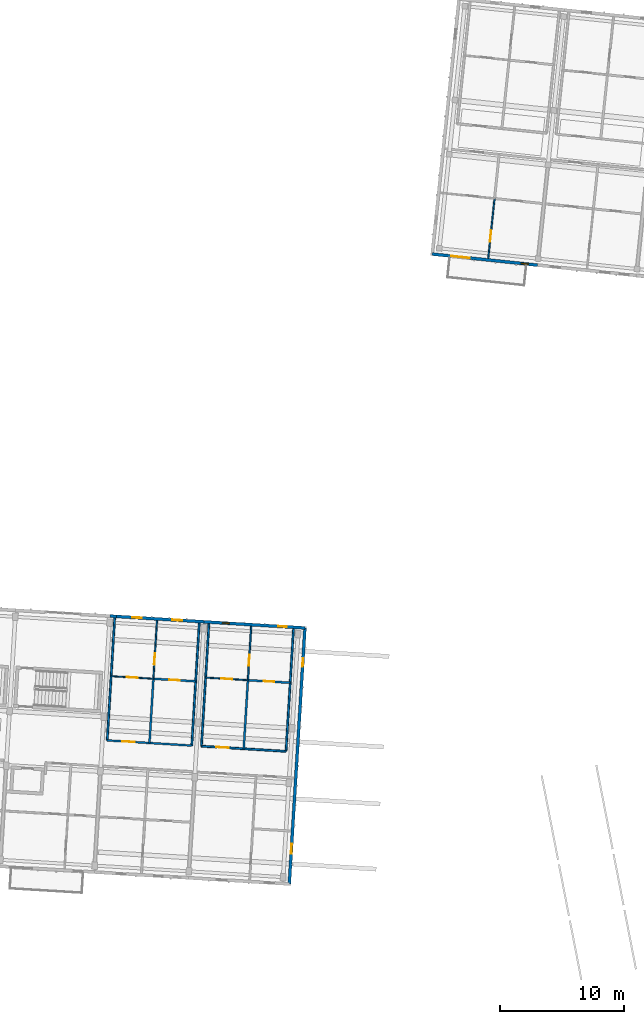
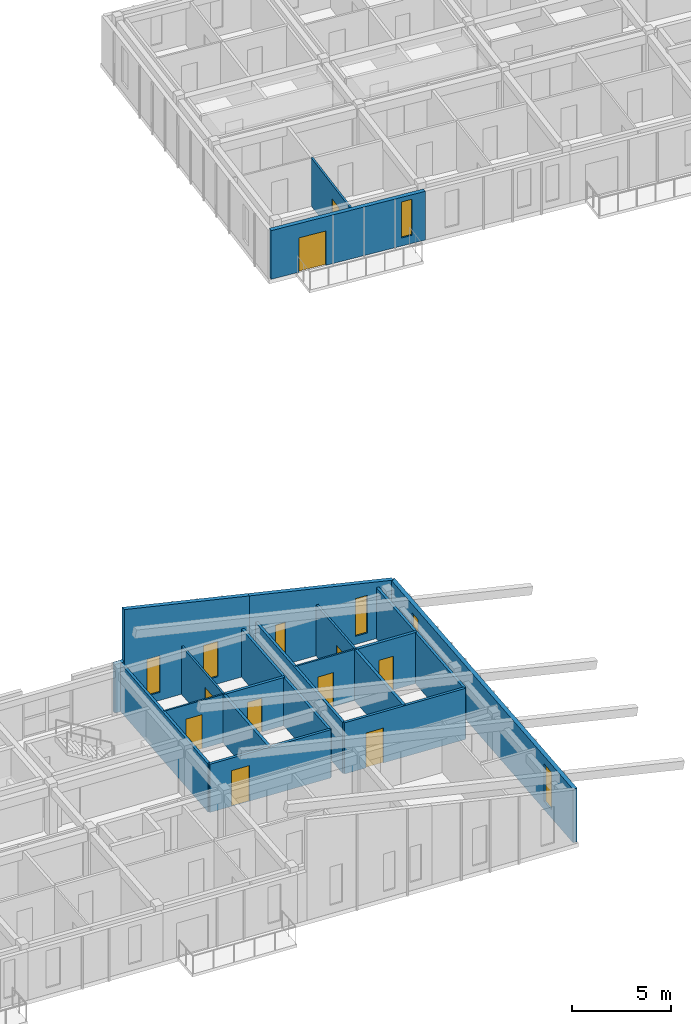
# One storey, part 26 of 56: 20 walls, 10 doors, 7 windows, 17 openings.
"""IFC4 building model written with IfcOpenShell, lengths in metres."""

import ifcopenshell
import ifcopenshell.guid

model = None  # the IFC model being written
_history = None  # IfcOwnerHistory: only IFC2X3 demands one
_inside = {}  # id of a spatial element -> (the spatial element, [elements in it])
_under = {}  # id of a project, library or spatial element -> (it, [spatial elements below it])
_declared = {}  # id of a project -> (the project, [libraries it declares])
_typed = {}  # id of a type object -> (the type object, [elements of that type])
_made_of = {}  # id of a material, layer set ... -> (it, [elements and type objects made of it])


def new_model(schema):
    """Start an empty IFC model of exactly this schema.

    Asked for "IFC4X3", IfcOpenShell would pick the latest addendum, in which some entities
    have other attributes; the version numbers below select the first issue.
    IFC2X3 requires an IfcOwnerHistory on every rooted entity: one is made here for all.
    """
    global model, _history
    if schema == "IFC4X3":
        model = ifcopenshell.file(schema_version=(4, 3, 0, 0))
    else:
        model = ifcopenshell.file(schema=schema)
    _inside.clear()
    _under.clear()
    _declared.clear()
    _typed.clear()
    _made_of.clear()
    _history = None
    if model.schema == "IFC2X3":
        org = make("IfcOrganization", Name="unknown")
        user = make(
            "IfcPersonAndOrganization",
            ThePerson=make("IfcPerson", FamilyName="unknown"),
            TheOrganization=org,
        )
        app = make(
            "IfcApplication",
            ApplicationDeveloper=org,
            Version="unknown",
            ApplicationFullName="unknown",
            ApplicationIdentifier="unknown",
        )
        _history = make(
            "IfcOwnerHistory",
            OwningUser=user,
            OwningApplication=app,
            ChangeAction="ADDED",
            CreationDate=0,
        )
    return model


def make(cls, **values):
    """One entity of the class cls with the attributes given. An attribute that is None is left unset."""
    return model.create_entity(
        cls, **{name: value for name, value in values.items() if value is not None}
    )


def rooted(cls, **values):
    """An entity with a GlobalId (a new one), such as an element, a storey or a relation."""
    return make(cls, GlobalId=ifcopenshell.guid.new(), OwnerHistory=_history, **values)


def si_unit(unit_type, name, prefix=None):
    """IfcSIUnit, for example si_unit("LENGTHUNIT", "METRE", prefix="MILLI")."""
    return make("IfcSIUnit", UnitType=unit_type, Prefix=prefix, Name=name)


def assignment(units):
    """IfcUnitAssignment: the units of a project."""
    return None if units is None else make("IfcUnitAssignment", Units=units)


def point(xyz):
    """IfcCartesianPoint."""
    return None if xyz is None else make("IfcCartesianPoint", Coordinates=xyz)


def direction(xyz):
    """IfcDirection."""
    return None if xyz is None else make("IfcDirection", DirectionRatios=xyz)


def frame(location, z_axis=None, x_axis=None):
    """IfcAxis2Placement3D, a coordinate frame: its origin and axes. An axis left out is left unset."""
    return make(
        "IfcAxis2Placement3D",
        Location=point(location),
        Axis=direction(z_axis),
        RefDirection=direction(x_axis),
    )


def frame_2d(location, x_axis=None):
    """IfcAxis2Placement2D, a coordinate frame in the plane: its origin and x axis."""
    return make(
        "IfcAxis2Placement2D", Location=point(location), RefDirection=direction(x_axis)
    )


def origin():
    """The frame at (0, 0, 0) with its axes left unset."""
    return frame((0.0, 0.0, 0.0))


def place(relative_to, where):
    """IfcLocalPlacement: puts the frame where relative to a parent placement (None: the world)."""
    return make(
        "IfcLocalPlacement", PlacementRelTo=relative_to, RelativePlacement=where
    )


def context(
    kind, dimensions, precision=None, world=None, true_north=None, identifier=None
):
    """IfcGeometricRepresentationContext, for example the 3D "Model" context."""
    return make(
        "IfcGeometricRepresentationContext",
        ContextIdentifier=identifier,
        ContextType=kind,
        CoordinateSpaceDimension=dimensions,
        Precision=precision,
        WorldCoordinateSystem=world,
        TrueNorth=true_north,
    )


def subcontext(parent, identifier, kind, view, scale=None):
    """IfcGeometricRepresentationSubContext, for example "Body" below "Model"."""
    return make(
        "IfcGeometricRepresentationSubContext",
        ContextIdentifier=identifier,
        ContextType=kind,
        ParentContext=parent,
        TargetScale=scale,
        TargetView=view,
    )


def project(units=None, contexts=None):
    """IfcProject with its units and contexts."""
    return rooted(
        "IfcProject",
        Name="project",
        RepresentationContexts=contexts,
        UnitsInContext=assignment(units),
    )


def spatial(cls, under=None, at=None, **own):
    """A site, building, storey or space (cls), placed at a placement, below another one or the project."""
    s = rooted(cls, ObjectPlacement=at, **own)
    if under is not None:
        _under.setdefault(under.id(), (under, []))[1].append(s)
    return s


def polyline(points):
    """IfcPolyline through the points."""
    return make("IfcPolyline", Points=[point(p) for p in points])


def profile(cls, at=None, kind="AREA", **sizes):
    """A parametric profile (cls). Its sizes go by their IFC names, for example OverallWidth=200.0."""
    return make(cls, ProfileType=kind, Position=at, **sizes)


def rectangle(**sizes):
    """IfcRectangleProfileDef."""
    return profile("IfcRectangleProfileDef", **sizes)


def outline(outer, holes=None, kind="AREA"):
    """IfcArbitraryClosedProfileDef: a profile drawn as a closed curve; with holes, ...WithVoids."""
    if holes is None:
        return make("IfcArbitraryClosedProfileDef", ProfileType=kind, OuterCurve=outer)
    return make(
        "IfcArbitraryProfileDefWithVoids",
        ProfileType=kind,
        OuterCurve=outer,
        InnerCurves=holes,
    )


def extrude(swept, where, along, depth):
    """IfcExtrudedAreaSolid: the profile swept, set in the frame where, extruded along a direction by depth."""
    return make(
        "IfcExtrudedAreaSolid",
        SweptArea=swept,
        Position=where,
        ExtrudedDirection=direction(along),
        Depth=depth,
    )


def shape(context_of_items, identifier, shape_type, items):
    """IfcShapeRepresentation: the items that make up one representation, for example the "Body"."""
    return make(
        "IfcShapeRepresentation",
        ContextOfItems=context_of_items,
        RepresentationIdentifier=identifier,
        RepresentationType=shape_type,
        Items=items,
    )


def material(Name=None, Category=None):
    """IfcMaterial."""
    return make("IfcMaterial", Name=Name, Category=Category)


def layer(
    of_material, thickness, ventilated=None, Name=None, Category=None, Priority=None
):
    """IfcMaterialLayer: one layer of a wall or slab, of a material (None: an air gap)."""
    return make(
        "IfcMaterialLayer",
        Material=of_material,
        LayerThickness=thickness,
        IsVentilated=ventilated,
        Name=Name,
        Category=Category,
        Priority=Priority,
    )


def layer_set(layers, Name=None):
    """IfcMaterialLayerSet."""
    return make("IfcMaterialLayerSet", MaterialLayers=layers, LayerSetName=Name)


def made_of(thing, what):
    """Note that an element or type object is made of a material, layer set ...; save() writes the relation."""
    if what is not None:
        _made_of.setdefault(what.id(), (what, []))[1].append(thing)
    return thing


def type_object(cls, material=None, **own):
    """A type object (cls), such as IfcWallType, which elements share."""
    return made_of(rooted(cls, **own), material)


def element(
    cls,
    number,
    at=None,
    inside=None,
    cuts=None,
    type_object=None,
    material=None,
    context=None,
    identifier="Body",
    shape_type=None,
    held_by="IfcProductDefinitionShape",
    body=None,
    shapes=None,
    **own,
):
    """One element of the class cls, such as IfcWall. Its Tag is "e" and its number.

    at: its placement. inside: the storey or other place that contains it. cuts: it is an
    opening in that element (IfcRelVoidsElement). A single representation is given by context,
    identifier, shape_type and body (its items); several are given by shapes. held_by: the class
    of the entity that holds the representations. save() writes the other relations.
    """
    e = rooted(cls, Tag="e%d" % number, ObjectPlacement=at, **own)
    if body is not None:
        shapes = [shape(context, identifier, shape_type, body)]
    if shapes is not None:
        e.Representation = make(held_by, Representations=shapes)
    if inside is not None:
        _inside.setdefault(inside.id(), (inside, []))[1].append(e)
    if cuts is not None:
        rooted(
            "IfcRelVoidsElement", RelatingBuildingElement=cuts, RelatedOpeningElement=e
        )
    if type_object is not None:
        _typed.setdefault(type_object.id(), (type_object, []))[1].append(e)
    return made_of(e, material)


def fill(opening, filler):
    """IfcRelFillsElement: the door or window that sits in an opening."""
    return rooted(
        "IfcRelFillsElement",
        RelatingOpeningElement=opening,
        RelatedBuildingElement=filler,
    )


def aggregate(whole, parts):
    """IfcRelAggregates: a whole, such as a stair, and the parts it consists of."""
    return rooted("IfcRelAggregates", RelatingObject=whole, RelatedObjects=parts)


def save(model, path):
    """Write the relations noted so far, then the file.

    IfcRelAggregates (storeys below a building ...), IfcRelContainedInSpatialStructure (elements
    in a storey), IfcRelDefinesByType, IfcRelAssociatesMaterial and IfcRelDeclares: one each for
    every whole, place, type object, material and project.
    """
    for whole, parts in _under.values():
        aggregate(whole, parts)
    for where, things in _inside.values():
        rooted(
            "IfcRelContainedInSpatialStructure",
            RelatedElements=things,
            RelatingStructure=where,
        )
    for kind, things in _typed.values():
        rooted("IfcRelDefinesByType", RelatedObjects=things, RelatingType=kind)
    for what, things in _made_of.values():
        rooted("IfcRelAssociatesMaterial", RelatedObjects=things, RelatingMaterial=what)
    for by, libraries in _declared.values():
        rooted("IfcRelDeclares", RelatingContext=by, RelatedDefinitions=libraries)
    model.write(path)


model = new_model("IFC4")

# Units and contexts
model_context = context("Model", 3, precision=1e-05, world=origin(), true_north=direction((0.0, 1.0)))
body_context = subcontext(model_context, "Body", "Model", "MODEL_VIEW")
ifc_project = project(units=[si_unit("LENGTHUNIT", "METRE"), si_unit("AREAUNIT", "SQUARE_METRE"), si_unit("VOLUMEUNIT", "CUBIC_METRE"), si_unit("PLANEANGLEUNIT", "RADIAN"), si_unit("MASSUNIT", "GRAM", prefix="KILO")], contexts=[model_context])

# Site, building, storey
site_placement = place(None, origin())
site = spatial("IfcSite", under=ifc_project, at=site_placement, CompositionType="ELEMENT")
building_placement = place(site_placement, origin())
building = spatial("IfcBuilding", under=site, at=building_placement, Name="Kestramere Prow Commons", CompositionType="ELEMENT")
storey_placement = place(building_placement, frame((0.0, 0.0, 27.89990234375)))
storey = spatial("IfcBuildingStorey", under=building, at=storey_placement, Name="L08", CompositionType="ELEMENT", Elevation=27.89990234375)

# Wall, openings, door, window
ifc_material_1 = material(Name="Fluoropolymer Standing-Seam Zinc-Aluminium Cladding", Category="aluminium")
ifc_layer_1 = layer(ifc_material_1, 0.239990234375)
ifc_layer_set_1 = layer_set([ifc_layer_1], Name="Fluoropolymer Standing-Seam Zinc-Aluminium Cladding")
wall_type_1 = type_object("IfcWallType", Name="EW-SEAM-240", PredefinedType="SOLIDWALL", material=ifc_layer_set_1)
wall_1_placement = place(storey_placement, frame((117.9013671875, 93.441650390625, 0.0), z_axis=(0.0, 0.0, 1.0), x_axis=(-0.994521760736, 0.104529744196, 0.0)))
wall_1 = element("IfcWall", 1, at=wall_1_placement, inside=storey, type_object=wall_type_1, Name="Block B L08 South Standing-Seam Wall 1", PredefinedType="SOLIDWALL", context=body_context, shape_type="SweptSolid", body=[
    extrude(rectangle(XDim=8.52490234375, YDim=0.239990234375, at=frame_2d((4.262451171875, 0.0))), origin(), (0.0, 0.0, 1.0), 3.0),
])
opening_1_placement = place(wall_1_placement, frame((5.4951171875, 0.0, 0.0)))
opening_1 = element("IfcOpeningElement", 2, at=opening_1_placement, cuts=wall_1, Name="Opening GD-BAL-01", PredefinedType="OPENING", context=body_context, shape_type="SweptSolid", body=[
    extrude(rectangle(XDim=1.5, YDim=2.1201171875, at=frame_2d((0.75, 1.06005859375))), frame((0.0, 0.135009765625, 0.0), z_axis=(0.0, -1.0, 0.0), x_axis=(1.0, 0.0, 0.0)), (0.0, 0.0, 1.0), 0.27001953125),
])
opening_2_placement = place(wall_1_placement, frame((0.72998046875, 0.0, 0.5)))
opening_2 = element("IfcOpeningElement", 3, at=opening_2_placement, cuts=wall_1, Name="Opening WN-02", PredefinedType="OPENING", context=body_context, shape_type="SweptSolid", body=[
    extrude(rectangle(XDim=0.60009765625, YDim=2.219970703125, at=frame_2d((0.300048828125, 1.10986328125))), frame((0.0, 0.135009765625, 0.0), z_axis=(0.0, -1.0, 0.0), x_axis=(1.0, 0.0, 0.0)), (0.0, 0.0, 1.0), 0.27001953125),
])
ifc_material_2 = material(Name="Thermally-Broken Anodised Aluminium Glazed", Category="aluminium")
door_type_1 = type_object("IfcDoorType", Name="GD-BAL-1500", OperationType="SLIDING_TO_RIGHT", PredefinedType="DOOR", material=ifc_material_2)
door_1_placement = place(opening_1_placement, origin())
door_1 = element("IfcDoor", 4, at=door_1_placement, inside=storey, type_object=door_type_1, Name="Block B L08 Balcony Door 1", OperationType="SLIDING_TO_RIGHT", OverallHeight=2.1201171875, OverallWidth=1.5, PredefinedType="DOOR", context=body_context, shape_type="SweptSolid", body=[
    extrude(rectangle(XDim=1.5, YDim=2.1201171875, at=frame_2d((0.75, 1.06005859375))), frame((0.0, 0.02490234375, 0.0), z_axis=(0.0, -1.0, 0.0), x_axis=(1.0, 0.0, 0.0)), (0.0, 0.0, 1.0), 0.050048828125),
])
fill(opening_1, door_1)
ifc_material_3 = material(Name="Low-E Laminated Double Glazing", Category="glass")
window_type_1 = type_object("IfcWindowType", Name="WN-NAR-600A", PartitioningType="SINGLE_PANEL", PredefinedType="WINDOW", material=ifc_material_3)
window_1_placement = place(opening_2_placement, origin())
window_1 = element("IfcWindow", 5, at=window_1_placement, inside=storey, type_object=window_type_1, Name="WN-B-L08-SR-0", OverallHeight=2.219970703125, OverallWidth=0.60009765625, PartitioningType="SINGLE_PANEL", PredefinedType="WINDOW", context=body_context, shape_type="SweptSolid", body=[
    extrude(rectangle(XDim=0.60009765625, YDim=2.219970703125, at=frame_2d((0.300048828125, 1.10986328125))), frame((0.0, 0.030029296875, 0.0), z_axis=(0.0, -1.0, 0.0), x_axis=(1.0, 0.0, 0.0)), (0.0, 0.0, 1.0), 0.06005859375),
])
fill(opening_2, window_1)

# Wall
wall_2_placement = place(storey_placement, frame((83.486083984375, 65.195556640625, 0.0), z_axis=(0.0, 0.0, 1.0), x_axis=(0.998142018096, -0.060930384143, 0.0)))
element("IfcWall", 6, at=wall_2_placement, inside=storey, type_object=wall_type_1, Name="Block C L08 North Step-Back Spandrel Wall 4", PredefinedType="SOLIDWALL", context=body_context, shape_type="SweptSolid", body=[
    extrude(rectangle(XDim=0.52490234375, YDim=0.239990234375, at=frame_2d((0.262451171875, 0.0))), origin(), (0.0, 0.0, 1.0), 3.0),
])

# Wall, openings, windows
wall_3_placement = place(storey_placement, frame((84.010009765625, 65.16357421875, 0.0), z_axis=(0.0, 0.0, 1.0), x_axis=(0.998135197798, -0.061042009435, 0.0)))
wall_3 = element("IfcWall", 7, at=wall_3_placement, inside=storey, type_object=wall_type_1, Name="Block C L08 North Standing-Seam Wall 4", PredefinedType="SOLIDWALL", context=body_context, shape_type="SweptSolid", body=[
    extrude(outline(polyline([(0.0, 0.0), (7.0751953125, 0.0), (7.074951171875, 4.86083984375), (0.0, 6.22216796875), (0.0, 0.0)])), frame((0.0, 0.1201171875, 0.0), z_axis=(0.0, -1.0, 0.0), x_axis=(1.0, 0.0, 0.0)), (0.0, 0.0, 1.0), 0.239990234375),
])
opening_3_placement = place(wall_3_placement, frame((1.282470703125, 0.0, 0.5)))
opening_3 = element("IfcOpeningElement", 8, at=opening_3_placement, cuts=wall_3, Name="Opening WN-09", PredefinedType="OPENING", context=body_context, shape_type="SweptSolid", body=[
    extrude(rectangle(XDim=0.739990234375, YDim=2.260009765625, at=frame_2d((0.3701171875, 1.1298828125))), frame((0.0, 0.135009765625, 0.0), z_axis=(0.0, -1.0, 0.0), x_axis=(1.0, 0.0, 0.0)), (0.0, 0.0, 1.0), 0.27001953125),
])
opening_4_placement = place(wall_3_placement, frame((4.480712890625, 0.0, 0.43994140625)))
opening_4 = element("IfcOpeningElement", 9, at=opening_4_placement, cuts=wall_3, Name="Opening WN-13", PredefinedType="OPENING", context=body_context, shape_type="SweptSolid", body=[
    extrude(rectangle(XDim=0.820068359375, YDim=2.179931640625, at=frame_2d((0.41015625, 1.08984375))), frame((0.0, 0.135009765625, 0.0), z_axis=(0.0, -1.0, 0.0), x_axis=(1.0, 0.0, 0.0)), (0.0, 0.0, 1.0), 0.27001953125),
])
window_type_2 = type_object("IfcWindowType", Name="WN-NAR-740A", PartitioningType="SINGLE_PANEL", PredefinedType="WINDOW", material=ifc_material_3)
window_2_placement = place(opening_3_placement, origin())
window_2 = element("IfcWindow", 10, at=window_2_placement, inside=storey, type_object=window_type_2, Name="WN-C-L08-N-3-0", OverallHeight=2.260009765625, OverallWidth=0.739990234375, PartitioningType="SINGLE_PANEL", PredefinedType="WINDOW", context=body_context, shape_type="SweptSolid", body=[
    extrude(rectangle(XDim=0.739990234375, YDim=2.260009765625, at=frame_2d((0.3701171875, 1.1298828125))), frame((0.0, 0.030029296875, 0.0), z_axis=(0.0, -1.0, 0.0), x_axis=(1.0, 0.0, 0.0)), (0.0, 0.0, 1.0), 0.06005859375),
])
fill(opening_3, window_2)
window_type_3 = type_object("IfcWindowType", Name="WN-NAR-820A", PartitioningType="DOUBLE_PANEL_VERTICAL", PredefinedType="WINDOW", material=ifc_material_3)
window_3_placement = place(opening_4_placement, origin())
window_3 = element("IfcWindow", 11, at=window_3_placement, inside=storey, type_object=window_type_3, Name="WN-C-L08-N-3-1", OverallHeight=2.179931640625, OverallWidth=0.820068359375, PartitioningType="SINGLE_PANEL", PredefinedType="WINDOW", context=body_context, shape_type="SweptSolid", body=[
    extrude(rectangle(XDim=0.820068359375, YDim=2.179931640625, at=frame_2d((0.41015625, 1.08984375))), frame((0.0, 0.030029296875, 0.0), z_axis=(0.0, -1.0, 0.0), x_axis=(1.0, 0.0, 0.0)), (0.0, 0.0, 1.0), 0.06005859375),
])
fill(opening_4, window_3)

wall_4_placement = place(storey_placement, frame((91.072021484375, 64.731689453125, 0.0), z_axis=(0.0, 0.0, 1.0), x_axis=(0.998134136914, -0.061059354132, 0.0)))
wall_4 = element("IfcWall", 12, at=wall_4_placement, inside=storey, type_object=wall_type_1, Name="Block C L08 North Standing-Seam Wall 5", PredefinedType="SOLIDWALL", context=body_context, shape_type="SweptSolid", body=[
    extrude(outline(polyline([(0.0, 0.0), (8.124755859375, 0.0), (8.125, 3.297607421875), (0.0, 4.86083984375), (0.0, 0.0)])), frame((0.0, 0.1201171875, 0.0), z_axis=(0.0, -1.0, 0.0), x_axis=(1.0, 0.0, 0.0)), (0.0, 0.0, 1.0), 0.239990234375),
])
opening_5_placement = place(wall_4_placement, frame((1.4541015625, 0.0, 0.43994140625)))
opening_5 = element("IfcOpeningElement", 13, at=opening_5_placement, cuts=wall_4, Name="Opening WN-01", PredefinedType="OPENING", context=body_context, shape_type="SweptSolid", body=[
    extrude(rectangle(XDim=0.580078125, YDim=2.159912109375, at=frame_2d((0.2900390625, 1.080078125))), frame((0.0, 0.135009765625, 0.0), z_axis=(0.0, -1.0, 0.0), x_axis=(1.0, 0.0, 0.0)), (0.0, 0.0, 1.0), 0.27001953125),
])
opening_6_placement = place(wall_4_placement, frame((5.981689453125, 0.0, 0.5)))
opening_6 = element("IfcOpeningElement", 14, at=opening_6_placement, cuts=wall_4, Name="Opening WN-05", PredefinedType="OPENING", context=body_context, shape_type="SweptSolid", body=[
    extrude(rectangle(XDim=0.659912109375, YDim=2.320068359375, at=frame_2d((0.330078125, 1.16015625))), frame((0.0, 0.135009765625, 0.0), z_axis=(0.0, -1.0, 0.0), x_axis=(1.0, 0.0, 0.0)), (0.0, 0.0, 1.0), 0.27001953125),
])
window_type_4 = type_object("IfcWindowType", Name="WN-NAR-580A", PartitioningType="SINGLE_PANEL", PredefinedType="WINDOW", material=ifc_material_3)
window_4_placement = place(opening_5_placement, origin())
window_4 = element("IfcWindow", 15, at=window_4_placement, inside=storey, type_object=window_type_4, Name="WN-C-L08-N-4-0", OverallHeight=2.159912109375, OverallWidth=0.580078125, PartitioningType="SINGLE_PANEL", PredefinedType="WINDOW", context=body_context, shape_type="SweptSolid", body=[
    extrude(rectangle(XDim=0.580078125, YDim=2.159912109375, at=frame_2d((0.2900390625, 1.080078125))), frame((0.0, 0.030029296875, 0.0), z_axis=(0.0, -1.0, 0.0), x_axis=(1.0, 0.0, 0.0)), (0.0, 0.0, 1.0), 0.06005859375),
])
fill(opening_5, window_4)
window_type_5 = type_object("IfcWindowType", Name="WN-NAR-660A", PartitioningType="SINGLE_PANEL", PredefinedType="WINDOW", material=ifc_material_3)
window_5_placement = place(opening_6_placement, origin())
window_5 = element("IfcWindow", 16, at=window_5_placement, inside=storey, type_object=window_type_5, Name="WN-C-L08-N-4-1", OverallHeight=2.320068359375, OverallWidth=0.659912109375, PartitioningType="SINGLE_PANEL", PredefinedType="WINDOW", context=body_context, shape_type="SweptSolid", body=[
    extrude(rectangle(XDim=0.659912109375, YDim=2.320068359375, at=frame_2d((0.330078125, 1.16015625))), frame((0.0, 0.030029296875, 0.0), z_axis=(0.0, -1.0, 0.0), x_axis=(1.0, 0.0, 0.0)), (0.0, 0.0, 1.0), 0.06005859375),
])
fill(opening_6, window_5)

wall_5_placement = place(storey_placement, frame((99.181640625, 64.235595703125, 0.0), z_axis=(0.0, 0.0, 1.0), x_axis=(-0.061040833846, -0.998135269692, 0.0)))
wall_5 = element("IfcWall", 17, at=wall_5_placement, inside=storey, type_object=wall_type_1, Name="Block C L08 EAV Facet Wall", PredefinedType="SOLIDWALL", context=body_context, shape_type="SweptSolid", body=[
    extrude(rectangle(XDim=20.650146484375, YDim=0.239990234375, at=frame_2d((10.3251953125, 0.0))), origin(), (0.0, 0.0, 1.0), 3.297607421875),
])
opening_7_placement = place(wall_5_placement, frame((2.449951171875, 0.0, 0.449951171875)))
opening_7 = element("IfcOpeningElement", 18, at=opening_7_placement, cuts=wall_5, Name="Opening WN-05", PredefinedType="OPENING", context=body_context, shape_type="SweptSolid", body=[
    extrude(rectangle(XDim=0.659912109375, YDim=2.320068359375, at=frame_2d((0.330078125, 1.16015625))), frame((0.0, 0.135009765625, 0.0), z_axis=(0.0, -1.0, 0.0), x_axis=(1.0, 0.0, 0.0)), (0.0, 0.0, 1.0), 0.27001953125),
])
opening_8_placement = place(wall_5_placement, frame((17.39990234375, 0.0, 0.52001953125)))
opening_8 = element("IfcOpeningElement", 19, at=opening_8_placement, cuts=wall_5, Name="Opening WN-12", PredefinedType="OPENING", context=body_context, shape_type="SweptSolid", body=[
    extrude(rectangle(XDim=0.800048828125, YDim=2.300048828125, at=frame_2d((0.39990234375, 1.14990234375))), frame((0.0, 0.135009765625, 0.0), z_axis=(0.0, -1.0, 0.0), x_axis=(1.0, 0.0, 0.0)), (0.0, 0.0, 1.0), 0.27001953125),
])
window_6_placement = place(opening_7_placement, origin())
window_6 = element("IfcWindow", 20, at=window_6_placement, inside=storey, type_object=window_type_5, Name="WN-C-L08-EAV-0", OverallHeight=2.320068359375, OverallWidth=0.659912109375, PartitioningType="SINGLE_PANEL", PredefinedType="WINDOW", context=body_context, shape_type="SweptSolid", body=[
    extrude(rectangle(XDim=0.659912109375, YDim=2.320068359375, at=frame_2d((0.330078125, 1.16015625))), frame((0.0, 0.030029296875, 0.0), z_axis=(0.0, -1.0, 0.0), x_axis=(1.0, 0.0, 0.0)), (0.0, 0.0, 1.0), 0.06005859375),
])
fill(opening_7, window_6)
window_type_6 = type_object("IfcWindowType", Name="WN-NAR-800A", PartitioningType="SINGLE_PANEL", PredefinedType="WINDOW", material=ifc_material_3)
window_7_placement = place(opening_8_placement, origin())
window_7 = element("IfcWindow", 21, at=window_7_placement, inside=storey, type_object=window_type_6, Name="WN-C-L08-EAV-1", OverallHeight=2.300048828125, OverallWidth=0.800048828125, PartitioningType="SINGLE_PANEL", PredefinedType="WINDOW", context=body_context, shape_type="SweptSolid", body=[
    extrude(rectangle(XDim=0.800048828125, YDim=2.300048828125, at=frame_2d((0.39990234375, 1.14990234375))), frame((0.0, 0.030029296875, 0.0), z_axis=(0.0, -1.0, 0.0), x_axis=(1.0, 0.0, 0.0)), (0.0, 0.0, 1.0), 0.06005859375),
])
fill(opening_8, window_7)

# Wall, opening, door
ifc_material_4 = material(Name="Fire-Rated Calcium Silicate Wall")
ifc_layer_2 = layer(ifc_material_4, 0.155029296875)
ifc_layer_set_2 = layer_set([ifc_layer_2], Name="Fire-Rated Calcium Silicate Wall")
wall_type_2 = type_object("IfcWallType", Name="W-FIRE-150", PredefinedType="PARTITIONING", material=ifc_layer_set_2)
wall_6_placement = place(storey_placement, frame((83.2646484375, 55.185302734375, 0.0), z_axis=(0.0, 0.0, 1.0), x_axis=(0.998135531673, -0.061036549799, 0.0)))
wall_6 = element("IfcWall", 22, at=wall_6_placement, inside=storey, type_object=wall_type_2, Name="Interior Partition PW-C-L08-CN-3", PredefinedType="PARTITIONING", context=body_context, shape_type="SweptSolid", body=[
    extrude(rectangle(XDim=6.81982421875, YDim=0.155029296875, at=frame_2d((3.409912109375, 0.0))), origin(), (0.0, 0.0, 1.0), 2.97021484375),
])
opening_9_placement = place(wall_6_placement, frame((1.205078125, 0.0, 0.0)))
opening_9 = element("IfcOpeningElement", 23, at=opening_9_placement, cuts=wall_6, Name="Opening ID-05", PredefinedType="OPENING", context=body_context, shape_type="SweptSolid", body=[
    extrude(rectangle(XDim=1.02001953125, YDim=2.199951171875, at=frame_2d((0.510009765625, 1.10009765625))), frame((0.0, 0.092529296875, 0.0), z_axis=(0.0, -1.0, 0.0), x_axis=(1.0, 0.0, 0.0)), (0.0, 0.0, 1.0), 0.18505859375),
])
ifc_material_5 = material(Name="Hardwood Fire-Rated Flat Entrance Door", Category="wood")
door_type_2 = type_object("IfcDoorType", Name="FD-ENT-02", OperationType="NOTDEFINED", PredefinedType="DOOR", material=ifc_material_5)
door_2_placement = place(opening_9_placement, origin())
door_2 = element("IfcDoor", 24, at=door_2_placement, inside=storey, type_object=door_type_2, Name="Interior Door DR-C-L08-ENT-N3", OperationType="SINGLE_SWING_RIGHT", OverallHeight=2.199951171875, OverallWidth=1.02001953125, PredefinedType="DOOR", context=body_context, shape_type="SweptSolid", body=[
    extrude(rectangle(XDim=1.02001953125, YDim=2.199951171875, at=frame_2d((0.510009765625, 1.10009765625))), frame((0.0, 0.02490234375, 0.0), z_axis=(0.0, -1.0, 0.0), x_axis=(1.0, 0.0, 0.0)), (0.0, 0.0, 1.0), 0.050048828125),
])
fill(opening_9, door_2)

wall_7_placement = place(storey_placement, frame((90.850341796875, 54.721435546875, 0.0), z_axis=(0.0, 0.0, 1.0), x_axis=(0.998135665032, -0.06103436893, 0.0)))
wall_7 = element("IfcWall", 25, at=wall_7_placement, inside=storey, type_object=wall_type_2, Name="Interior Partition PW-C-L08-CN-4", PredefinedType="PARTITIONING", context=body_context, shape_type="SweptSolid", body=[
    extrude(rectangle(XDim=6.820068359375, YDim=0.155029296875, at=frame_2d((3.41015625, 0.0))), origin(), (0.0, 0.0, 1.0), 3.150146484375),
])
opening_10_placement = place(wall_7_placement, frame((1.205078125, 0.0, 0.0)))
opening_10 = element("IfcOpeningElement", 26, at=opening_10_placement, cuts=wall_7, Name="Opening ID-04", PredefinedType="OPENING", context=body_context, shape_type="SweptSolid", body=[
    extrude(rectangle(XDim=0.97998046875, YDim=2.14990234375, at=frame_2d((0.489990234375, 1.074951171875))), frame((0.0, 0.092529296875, 0.0), z_axis=(0.0, -1.0, 0.0), x_axis=(1.0, 0.0, 0.0)), (0.0, 0.0, 1.0), 0.18505859375),
])
door_type_3 = type_object("IfcDoorType", Name="FD-ENT-01", OperationType="NOTDEFINED", PredefinedType="DOOR", material=ifc_material_5)
door_3_placement = place(opening_10_placement, origin())
door_3 = element("IfcDoor", 27, at=door_3_placement, inside=storey, type_object=door_type_3, Name="Interior Door DR-C-L08-ENT-N4", OperationType="SINGLE_SWING_LEFT", OverallHeight=2.14990234375, OverallWidth=0.97998046875, PredefinedType="DOOR", context=body_context, shape_type="SweptSolid", body=[
    extrude(rectangle(XDim=0.97998046875, YDim=2.14990234375, at=frame_2d((0.489990234375, 1.074951171875))), frame((0.0, 0.02490234375, 0.0), z_axis=(0.0, -1.0, 0.0), x_axis=(1.0, 0.0, 0.0)), (0.0, 0.0, 1.0), 0.050048828125),
])
fill(opening_10, door_3)

ifc_material_6 = material(Name="Gypsum Acoustic Drywall")
ifc_layer_3 = layer(ifc_material_6, 0.10009765625)
ifc_layer_set_3 = layer_set([ifc_layer_3], Name="Gypsum Acoustic Drywall")
wall_type_3 = type_object("IfcWallType", Name="W-PART-100", PredefinedType="PARTITIONING", material=ifc_layer_set_3)
wall_8_placement = place(storey_placement, frame((91.18798828125, 60.2412109375, 0.0), z_axis=(0.0, 0.0, 1.0), x_axis=(0.998133350094, -0.061072214879, 0.0)))
wall_8 = element("IfcWall", 28, at=wall_8_placement, inside=storey, type_object=wall_type_3, Name="Interior Partition PW-C-L08-MIDN1-4", PredefinedType="PARTITIONING", context=body_context, shape_type="SweptSolid", body=[
    extrude(rectangle(XDim=3.409912109375, YDim=0.10009765625, at=frame_2d((1.705078125, 0.0))), origin(), (0.0, 0.0, 1.0), 3.150146484375),
])
opening_11_placement = place(wall_8_placement, frame((1.2548828125, 0.0, 0.0)))
opening_11 = element("IfcOpeningElement", 29, at=opening_11_placement, cuts=wall_8, Name="Opening ID-10", PredefinedType="OPENING", context=body_context, shape_type="SweptSolid", body=[
    extrude(rectangle(XDim=0.8798828125, YDim=2.10009765625, at=frame_2d((0.43994140625, 1.050048828125))), frame((0.0, 0.06494140625, 0.0), z_axis=(0.0, -1.0, 0.0), x_axis=(1.0, 0.0, 0.0)), (0.0, 0.0, 1.0), 0.130126953125),
])
ifc_material_7 = material(Name="Engineered Timber Bedroom Door", Category="wood")
door_type_4 = type_object("IfcDoorType", Name="D-RM-03", OperationType="NOTDEFINED", PredefinedType="DOOR", material=ifc_material_7)
door_4_placement = place(opening_11_placement, origin())
door_4 = element("IfcDoor", 30, at=door_4_placement, inside=storey, type_object=door_type_4, Name="Interior Door DR-C-L08-KL-N4", OperationType="SINGLE_SWING_LEFT", OverallHeight=2.10009765625, OverallWidth=0.8798828125, PredefinedType="DOOR", context=body_context, shape_type="SweptSolid", body=[
    extrude(rectangle(XDim=0.8798828125, YDim=2.10009765625, at=frame_2d((0.43994140625, 1.050048828125))), frame((0.0, 0.02490234375, 0.0), z_axis=(0.0, -1.0, 0.0), x_axis=(1.0, 0.0, 0.0)), (0.0, 0.0, 1.0), 0.050048828125),
])
fill(opening_11, door_4)

ifc_layer_4 = layer(ifc_material_6, 0.110107421875)
ifc_layer_set_4 = layer_set([ifc_layer_4], Name="Gypsum Acoustic Drywall")
wall_type_4 = type_object("IfcWallType", Name="W-PART-110", PredefinedType="PARTITIONING", material=ifc_layer_set_4)
wall_9_placement = place(storey_placement, frame((113.937255859375, 93.994140625, 0.0), z_axis=(0.0, 0.0, 1.0), x_axis=(0.104566624716, 0.994517883698, 0.0)))
wall_9 = element("IfcWall", 31, at=wall_9_placement, inside=storey, type_object=wall_type_4, Name="Interior Partition PW-B-L08-LB-S0", PredefinedType="PARTITIONING", context=body_context, shape_type="SweptSolid", body=[
    extrude(rectangle(XDim=4.840087890625, YDim=0.110107421875, at=frame_2d((2.419921875, 0.0))), origin(), (0.0, 0.0, 1.0), 2.97021484375),
])
opening_12_placement = place(wall_9_placement, frame((1.35009765625, 0.0, 0.0)))
opening_12 = element("IfcOpeningElement", 32, at=opening_12_placement, cuts=wall_9, Name="Opening ID-08", PredefinedType="OPENING", context=body_context, shape_type="SweptSolid", body=[
    extrude(rectangle(XDim=0.89990234375, YDim=2.10009765625, at=frame_2d((0.449951171875, 1.050048828125))), frame((0.0, 0.070068359375, 0.0), z_axis=(0.0, -1.0, 0.0), x_axis=(1.0, 0.0, 0.0)), (0.0, 0.0, 1.0), 0.14013671875),
])
ifc_material_8 = material(Name="Engineered Timber Flush Door", Category="wood")
door_type_5 = type_object("IfcDoorType", Name="D-RM-01", OperationType="NOTDEFINED", PredefinedType="DOOR", material=ifc_material_8)
door_5_placement = place(opening_12_placement, origin())
door_5 = element("IfcDoor", 33, at=door_5_placement, inside=storey, type_object=door_type_5, Name="Interior Door DR-B-L08-BED-S0", OperationType="SINGLE_SWING_LEFT", OverallHeight=2.10009765625, OverallWidth=0.89990234375, PredefinedType="DOOR", context=body_context, shape_type="SweptSolid", body=[
    extrude(rectangle(XDim=0.89990234375, YDim=2.10009765625, at=frame_2d((0.449951171875, 1.050048828125))), frame((0.0, 0.02490234375, 0.0), z_axis=(0.0, -1.0, 0.0), x_axis=(1.0, 0.0, 0.0)), (0.0, 0.0, 1.0), 0.050048828125),
])
fill(opening_12, door_5)

wall_10_placement = place(storey_placement, frame((86.984375, 60.1474609375, 0.0), z_axis=(0.0, 0.0, 1.0), x_axis=(0.061059262019, 0.998134142549, 0.0)))
wall_10 = element("IfcWall", 34, at=wall_10_placement, inside=storey, type_object=wall_type_4, Name="Interior Partition PW-C-L08-LB-N3", PredefinedType="PARTITIONING", context=body_context, shape_type="SweptSolid", body=[
    extrude(rectangle(XDim=4.690185546875, YDim=0.110107421875, at=frame_2d((2.34521484375, 0.0))), origin(), (0.0, 0.0, 1.0), 2.97021484375),
])
opening_13_placement = place(wall_10_placement, frame((1.14990234375, 0.0, 0.0)))
opening_13 = element("IfcOpeningElement", 35, at=opening_13_placement, cuts=wall_10, Name="Opening ID-08", PredefinedType="OPENING", context=body_context, shape_type="SweptSolid", body=[
    extrude(rectangle(XDim=0.89990234375, YDim=2.10009765625, at=frame_2d((0.449951171875, 1.050048828125))), frame((0.0, 0.070068359375, 0.0), z_axis=(0.0, -1.0, 0.0), x_axis=(1.0, 0.0, 0.0)), (0.0, 0.0, 1.0), 0.14013671875),
])
door_6_placement = place(opening_13_placement, origin())
door_6 = element("IfcDoor", 36, at=door_6_placement, inside=storey, type_object=door_type_5, Name="Interior Door DR-C-L08-BED-N3", OperationType="SINGLE_SWING_LEFT", OverallHeight=2.10009765625, OverallWidth=0.89990234375, PredefinedType="DOOR", context=body_context, shape_type="SweptSolid", body=[
    extrude(rectangle(XDim=0.89990234375, YDim=2.10009765625, at=frame_2d((0.449951171875, 1.050048828125))), frame((0.0, 0.02490234375, 0.0), z_axis=(0.0, -1.0, 0.0), x_axis=(1.0, 0.0, 0.0)), (0.0, 0.0, 1.0), 0.050048828125),
])
fill(opening_13, door_6)

ifc_material_9 = material(Name="Lightweight Blockwork and Plaster", Category="masonry")
ifc_layer_5 = layer(ifc_material_9, 0.1201171875)
ifc_layer_set_5 = layer_set([ifc_layer_5], Name="Lightweight Blockwork and Plaster")
wall_type_5 = type_object("IfcWallType", Name="W-PART-120", PredefinedType="PARTITIONING", material=ifc_layer_set_5)
wall_11_placement = place(storey_placement, frame((94.591552734375, 60.032958984375, 0.0), z_axis=(0.0, 0.0, 1.0), x_axis=(0.061092906669, 0.998132083822, 0.0)))
wall_11 = element("IfcWall", 37, at=wall_11_placement, inside=storey, type_object=wall_type_5, Name="Interior Partition PW-C-L08-LB-N4", PredefinedType="PARTITIONING", context=body_context, shape_type="SweptSolid", body=[
    extrude(rectangle(XDim=4.33984375, YDim=0.1201171875, at=frame_2d((2.169921875, 0.0))), origin(), (0.0, 0.0, 1.0), 3.150146484375),
])
opening_14_placement = place(wall_11_placement, frame((1.14990234375, 0.0, 0.0)))
opening_14 = element("IfcOpeningElement", 38, at=opening_14_placement, cuts=wall_11, Name="Opening ID-08", PredefinedType="OPENING", context=body_context, shape_type="SweptSolid", body=[
    extrude(rectangle(XDim=0.89990234375, YDim=2.10009765625, at=frame_2d((0.449951171875, 1.050048828125))), frame((0.0, 0.074951171875, 0.0), z_axis=(0.0, -1.0, 0.0), x_axis=(1.0, 0.0, 0.0)), (0.0, 0.0, 1.0), 0.150146484375),
])
door_7_placement = place(opening_14_placement, origin())
door_7 = element("IfcDoor", 39, at=door_7_placement, inside=storey, type_object=door_type_5, Name="Interior Door DR-C-L08-BED-N4", OperationType="SINGLE_SWING_LEFT", OverallHeight=2.10009765625, OverallWidth=0.89990234375, PredefinedType="DOOR", context=body_context, shape_type="SweptSolid", body=[
    extrude(rectangle(XDim=0.89990234375, YDim=2.10009765625, at=frame_2d((0.449951171875, 1.050048828125))), frame((0.0, 0.02490234375, 0.0), z_axis=(0.0, -1.0, 0.0), x_axis=(1.0, 0.0, 0.0)), (0.0, 0.0, 1.0), 0.050048828125),
])
fill(opening_14, door_7)

# Walls
ifc_material_10 = material(Name="Masonry Compartment Wall", Category="masonry")
ifc_layer_6 = layer(ifc_material_10, 0.14990234375)
ifc_layer_set_6 = layer_set([ifc_layer_6], Name="Masonry Compartment Wall")
wall_type_6 = type_object("IfcWallType", Name="W-PART-150", PredefinedType="PARTITIONING", material=ifc_layer_set_6)
wall_12_placement = place(storey_placement, frame((83.2646484375, 55.185302734375, 0.0), z_axis=(0.0, 0.0, 1.0), x_axis=(0.061046193261, 0.998134941923, 0.0)))
element("IfcWall", 40, at=wall_12_placement, inside=storey, type_object=wall_type_6, Name="Interior Partition PW-C-L08-NWL-3", PredefinedType="PARTITIONING", context=body_context, shape_type="SweptSolid", body=[
    extrude(rectangle(XDim=9.8701171875, YDim=0.14990234375, at=frame_2d((4.93505859375, 0.0))), origin(), (0.0, 0.0, 1.0), 2.97021484375),
])
wall_13_placement = place(storey_placement, frame((90.07177734375, 54.76904296875, 0.0), z_axis=(0.0, 0.0, 1.0), x_axis=(0.061047700465, 0.998134849741, 0.0)))
element("IfcWall", 41, at=wall_13_placement, inside=storey, type_object=wall_type_6, Name="Interior Partition PW-C-L08-NWR-3", PredefinedType="PARTITIONING", context=body_context, shape_type="SweptSolid", body=[
    extrude(rectangle(XDim=9.869873046875, YDim=0.14990234375, at=frame_2d((4.93505859375, 0.0))), origin(), (0.0, 0.0, 1.0), 2.97021484375),
])
for number, where, z_axis, x_axis, name in (
    (42, (90.850341796875, 54.721435546875, 0.0), (0.0, 0.0, 1.0), (0.061047700465, 0.998134849741, 0.0), "Interior Partition PW-C-L08-NWL-4"),
    (43, (97.65771484375, 54.30517578125, 0.0), (0.0, 0.0, 1.0), (0.061047700465, 0.998134849741, 0.0), "Interior Partition PW-C-L08-NWR-4"),
):
    element("IfcWall", number, at=place(storey_placement, frame(where, z_axis=z_axis, x_axis=x_axis)), inside=storey, type_object=wall_type_6, Name=name, PredefinedType="PARTITIONING", context=body_context, shape_type="SweptSolid", body=[
        extrude(rectangle(XDim=9.869873046875, YDim=0.14990234375, at=frame_2d((4.93505859375, 0.0))), origin(), (0.0, 0.0, 1.0), 3.150146484375),
    ])

# Wall, opening, door
ifc_layer_7 = layer(ifc_material_6, 0.094970703125)
ifc_layer_set_7 = layer_set([ifc_layer_7], Name="Gypsum Acoustic Drywall")
wall_type_7 = type_object("IfcWallType", Name="W-PART-95", PredefinedType="PARTITIONING", material=ifc_layer_set_7)
wall_14_placement = place(storey_placement, frame((83.580810546875, 60.355712890625, 0.0), z_axis=(0.0, 0.0, 1.0), x_axis=(0.998133350094, -0.061072214879, 0.0)))
wall_14 = element("IfcWall", 44, at=wall_14_placement, inside=storey, type_object=wall_type_7, Name="Interior Partition PW-C-L08-MIDN1-3", PredefinedType="PARTITIONING", context=body_context, shape_type="SweptSolid", body=[
    extrude(rectangle(XDim=3.409912109375, YDim=0.094970703125, at=frame_2d((1.705078125, 0.0))), origin(), (0.0, 0.0, 1.0), 2.97021484375),
])
opening_15_placement = place(wall_14_placement, frame((1.2548828125, 0.0, 0.0)))
opening_15 = element("IfcOpeningElement", 45, at=opening_15_placement, cuts=wall_14, Name="Opening ID-08", PredefinedType="OPENING", context=body_context, shape_type="SweptSolid", body=[
    extrude(rectangle(XDim=0.89990234375, YDim=2.10009765625, at=frame_2d((0.449951171875, 1.050048828125))), frame((0.0, 0.0625, 0.0), z_axis=(0.0, -1.0, 0.0), x_axis=(1.0, 0.0, 0.0)), (0.0, 0.0, 1.0), 0.125),
])
door_8_placement = place(opening_15_placement, origin())
door_8 = element("IfcDoor", 46, at=door_8_placement, inside=storey, type_object=door_type_5, Name="Interior Door DR-C-L08-KL-N3", OperationType="SINGLE_SWING_LEFT", OverallHeight=2.10009765625, OverallWidth=0.89990234375, PredefinedType="DOOR", context=body_context, shape_type="SweptSolid", body=[
    extrude(rectangle(XDim=0.89990234375, YDim=2.10009765625, at=frame_2d((0.449951171875, 1.050048828125))), frame((0.0, 0.02490234375, 0.0), z_axis=(0.0, -1.0, 0.0), x_axis=(1.0, 0.0, 0.0)), (0.0, 0.0, 1.0), 0.050048828125),
])
fill(opening_15, door_8)

ifc_material_11 = material(Name="Waterproof Sanitary Masonry Wall", Category="masonry")
ifc_layer_8 = layer(ifc_material_11, 0.1650390625)
ifc_layer_set_8 = layer_set([ifc_layer_8], Name="Waterproof Sanitary Masonry Wall")
wall_type_8 = type_object("IfcWallType", Name="W-PLUMB-150", PredefinedType="PLUMBINGWALL", material=ifc_layer_set_8)
wall_15_placement = place(storey_placement, frame((86.984375, 60.1474609375, 0.0), z_axis=(0.0, 0.0, 1.0), x_axis=(0.99813797838, -0.060996525433, 0.0)))
wall_15 = element("IfcWall", 47, at=wall_15_placement, inside=storey, type_object=wall_type_8, Name="Interior Partition PW-C-L08-MIDN2-3", PredefinedType="PLUMBINGWALL", context=body_context, shape_type="SweptSolid", body=[
    extrude(rectangle(XDim=3.41015625, YDim=0.1650390625, at=frame_2d((1.705078125, 0.0))), origin(), (0.0, 0.0, 1.0), 2.97021484375),
])
opening_16_placement = place(wall_15_placement, frame((1.294921875, 0.0, 0.0)))
opening_16 = element("IfcOpeningElement", 48, at=opening_16_placement, cuts=wall_15, Name="Opening ID-11", PredefinedType="OPENING", context=body_context, shape_type="SweptSolid", body=[
    extrude(rectangle(XDim=0.820068359375, YDim=2.080078125, at=frame_2d((0.41015625, 1.0400390625))), frame((0.0, 0.097412109375, 0.0), z_axis=(0.0, -1.0, 0.0), x_axis=(1.0, 0.0, 0.0)), (0.0, 0.0, 1.0), 0.195068359375),
])
ifc_material_12 = material(Name="Moisture-Resistant Timber Bathroom Door", Category="wood")
door_type_6 = type_object("IfcDoorType", Name="D-BT-01", OperationType="NOTDEFINED", PredefinedType="DOOR", material=ifc_material_12)
door_9_placement = place(opening_16_placement, origin())
door_9 = element("IfcDoor", 49, at=door_9_placement, inside=storey, type_object=door_type_6, Name="Interior Door DR-C-L08-BTH-N3", OperationType="SINGLE_SWING_RIGHT", OverallHeight=2.080078125, OverallWidth=0.820068359375, PredefinedType="DOOR", context=body_context, shape_type="SweptSolid", body=[
    extrude(rectangle(XDim=0.820068359375, YDim=2.080078125, at=frame_2d((0.41015625, 1.0400390625))), frame((0.0, 0.02490234375, 0.0), z_axis=(0.0, -1.0, 0.0), x_axis=(1.0, 0.0, 0.0)), (0.0, 0.0, 1.0), 0.050048828125),
])
fill(opening_16, door_9)

# Wall
wall_16_placement = place(storey_placement, frame((86.668212890625, 54.977294921875, 0.0), z_axis=(0.0, 0.0, 1.0), x_axis=(0.061037231879, 0.998135489963, 0.0)))
element("IfcWall", 50, at=wall_16_placement, inside=storey, type_object=wall_type_8, Name="Interior Partition PW-C-L08-KB-N3", PredefinedType="PLUMBINGWALL", context=body_context, shape_type="SweptSolid", body=[
    extrude(rectangle(XDim=5.179931640625, YDim=0.1650390625, at=frame_2d((2.58984375, 0.0))), origin(), (0.0, 0.0, 1.0), 2.97021484375),
])

# Wall, opening, door
wall_17_placement = place(storey_placement, frame((94.591552734375, 60.032958984375, 0.0), z_axis=(0.0, 0.0, 1.0), x_axis=(0.998133617109, -0.061067850767, 0.0)))
wall_17 = element("IfcWall", 51, at=wall_17_placement, inside=storey, type_object=wall_type_8, Name="Interior Partition PW-C-L08-MIDN2-4", PredefinedType="PLUMBINGWALL", context=body_context, shape_type="SweptSolid", body=[
    extrude(rectangle(XDim=3.41015625, YDim=0.1650390625, at=frame_2d((1.705078125, 0.0))), origin(), (0.0, 0.0, 1.0), 3.150146484375),
])
opening_17_placement = place(wall_17_placement, frame((1.294921875, 0.0, 0.0)))
opening_17 = element("IfcOpeningElement", 52, at=opening_17_placement, cuts=wall_17, Name="Opening ID-11", PredefinedType="OPENING", context=body_context, shape_type="SweptSolid", body=[
    extrude(rectangle(XDim=0.820068359375, YDim=2.080078125, at=frame_2d((0.41015625, 1.0400390625))), frame((0.0, 0.097412109375, 0.0), z_axis=(0.0, -1.0, 0.0), x_axis=(1.0, 0.0, 0.0)), (0.0, 0.0, 1.0), 0.195068359375),
])
door_10_placement = place(opening_17_placement, origin())
door_10 = element("IfcDoor", 53, at=door_10_placement, inside=storey, type_object=door_type_6, Name="Interior Door DR-C-L08-BTH-N4", OperationType="SINGLE_SWING_RIGHT", OverallHeight=2.080078125, OverallWidth=0.820068359375, PredefinedType="DOOR", context=body_context, shape_type="SweptSolid", body=[
    extrude(rectangle(XDim=0.820068359375, YDim=2.080078125, at=frame_2d((0.41015625, 1.0400390625))), frame((0.0, 0.02490234375, 0.0), z_axis=(0.0, -1.0, 0.0), x_axis=(1.0, 0.0, 0.0)), (0.0, 0.0, 1.0), 0.050048828125),
])
fill(opening_17, door_10)

# Wall
wall_18_placement = place(storey_placement, frame((94.25390625, 54.51318359375, 0.0), z_axis=(0.0, 0.0, 1.0), x_axis=(0.061056206715, 0.998134329447, 0.0)))
element("IfcWall", 54, at=wall_18_placement, inside=storey, type_object=wall_type_8, Name="Interior Partition PW-C-L08-KB-N4", PredefinedType="PLUMBINGWALL", context=body_context, shape_type="SweptSolid", body=[
    extrude(rectangle(XDim=5.530029296875, YDim=0.1650390625, at=frame_2d((2.76513671875, 0.0))), origin(), (0.0, 0.0, 1.0), 3.150146484375),
])

save(model, "model.ifc")
